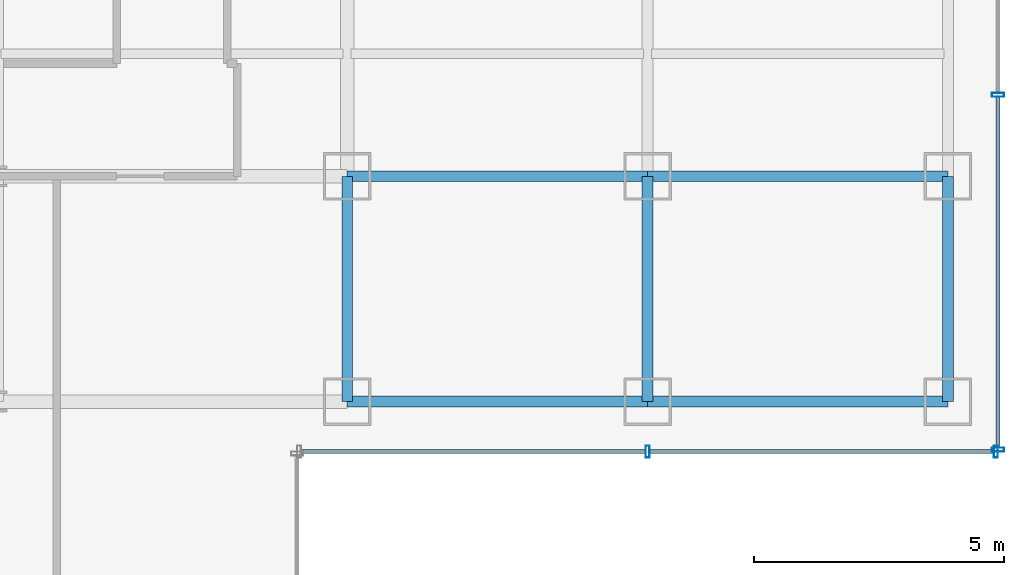
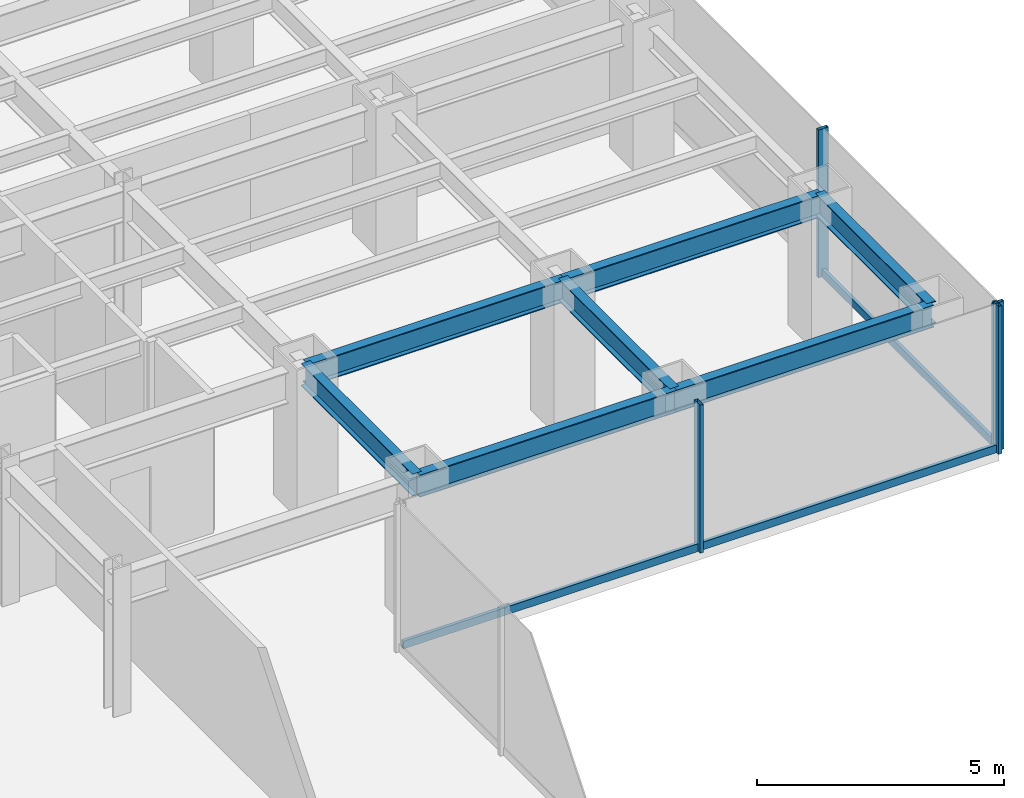
# One storey, part 7 of 22: 7 beams, 7 members, 2 elements without a shape of their own.
"""IFC4 building model written with IfcOpenShell, lengths in metres."""

from ifc_helpers import new_model, si_unit, derived_unit, direction, frame, origin, origin_2d, place, context, subcontext, project, spatial, hollow_rectangle, i_section, extrude, source, transform, mapped, material, material_profile, profile_set, type_object, element, aggregate, save


model = new_model("IFC4")

# Units and contexts
model_context = context("Model", 3, precision=1e-05, world=origin(), true_north=direction((0.0, 1.0)))
body_context = subcontext(model_context, "Body", "Model", "MODEL_VIEW")
ifc_project = project(units=[si_unit("LENGTHUNIT", "METRE"), si_unit("AREAUNIT", "SQUARE_METRE"), si_unit("VOLUMEUNIT", "CUBIC_METRE"), si_unit("PLANEANGLEUNIT", "RADIAN"), si_unit("MASSUNIT", "GRAM", prefix="KILO"), derived_unit("THERMALTRANSMITTANCEUNIT", [(si_unit("POWERUNIT", "WATT"), 1), (si_unit("LENGTHUNIT", "METRE"), -2), (si_unit("THERMODYNAMICTEMPERATUREUNIT", "KELVIN"), -1)])], contexts=[model_context])

# Site, building, storey
site_placement = place(None, origin())
site = spatial("IfcSite", under=ifc_project, at=site_placement, CompositionType="ELEMENT")
building_placement = place(site_placement, origin())
building = spatial("IfcBuilding", under=site, at=building_placement, Name="Skarnbrae Concourse Arena and Tower", CompositionType="ELEMENT")
storey_placement = place(building_placement, frame((0.0, 0.0, 39.800048828125)))
storey = spatial("IfcBuildingStorey", under=building, at=storey_placement, Name="L08", CompositionType="ELEMENT", Elevation=39.800048828125)

# Beams
ifc_material_1 = material(Name="Steel CSA G40.21 350W", Category="steel")
ifc_material_profile_1 = material_profile(ifc_material_1, i_section(OverallWidth=0.214111328125, OverallDepth=0.549072265625, WebThickness=0.0146484375, FlangeThickness=0.023681640625, at=origin_2d()), Name="W530X138")
ifc_profile_set_1 = profile_set([ifc_material_profile_1], Name="Steel CSA G40.21 350W")
beam_type = type_object("IfcBeamType", Name="BM-SPAN-W530X138", PredefinedType="SPANDREL", material=ifc_profile_set_1)
shared_shape_1 = source(origin(), body_context, "Body", "SweptSolid", [
    extrude(i_section(OverallWidth=0.214111328125, OverallDepth=0.549072265625, WebThickness=0.0146484375, FlangeThickness=0.023681640625, at=origin_2d()), origin(), (0.0, 0.0, 1.0), 6.0),
])
for number, where, z_axis, x_axis, name in (
    (1, (49.0, 9.5, 3.12548828125), (1.0, 0.0, 0.0), (0.0, 1.0, 0.0), "L08 Perimeter spandrel Y9.5-3"),
    (2, (55.0, 9.5, 3.12548828125), (1.0, 0.0, 0.0), (0.0, 1.0, 0.0), "L08 Perimeter spandrel Y9.5-4"),
    (3, (49.0, 14.0, 3.12548828125), (1.0, 0.0, 0.0), (0.0, 1.0, 0.0), "L08 Perimeter spandrel Y14.0-8"),
    (4, (55.0, 14.0, 3.12548828125), (1.0, 0.0, 0.0), (0.0, 1.0, 0.0), "L08 Perimeter spandrel Y14.0-9"),
):
    element("IfcBeam", number, at=place(storey_placement, frame(where, z_axis=z_axis, x_axis=x_axis)), inside=storey, type_object=beam_type, Name=name, PredefinedType="SPANDREL", context=body_context, shape_type="MappedRepresentation", body=[
        mapped(shared_shape_1, transform((0.0, 0.0, 0.0))),
    ])
shared_shape_2 = source(origin(), body_context, "Body", "SweptSolid", [
    extrude(i_section(OverallWidth=0.214111328125, OverallDepth=0.549072265625, WebThickness=0.0146484375, FlangeThickness=0.023681640625, at=origin_2d()), origin(), (0.0, 0.0, 1.0), 4.5),
])
for number, where, z_axis, x_axis, name in (
    (5, (49.0, 9.5, 3.12548828125), (0.0, 1.0, 0.0), (-1.0, 0.0, 0.0), "L08 Perimeter spandrel X49.0-1"),
    (6, (55.0, 9.5, 3.12548828125), (0.0, 1.0, 0.0), (-1.0, 0.0, 0.0), "L08 Perimeter spandrel X55.0-1"),
    (7, (61.0, 9.5, 3.12548828125), (0.0, 1.0, 0.0), (-1.0, 0.0, 0.0), "L08 Perimeter spandrel X61.0-1"),
):
    element("IfcBeam", number, at=place(storey_placement, frame(where, z_axis=z_axis, x_axis=x_axis)), inside=storey, type_object=beam_type, Name=name, PredefinedType="SPANDREL", context=body_context, shape_type="MappedRepresentation", body=[
        mapped(shared_shape_2, transform((0.0, 0.0, 0.0))),
    ])

# Curtain wall, members
ifc_material_2 = material(Name="Bronze anodised aluminium 6063-T6", Category="aluminium")
curtain_wall_type = type_object("IfcCurtainWallType", Name="CW-SYS-02-LOWZONE", PredefinedType="USERDEFINED", material=ifc_material_2)
curtain_wall_1_placement = place(storey_placement, origin())
curtain_wall_1 = element("IfcCurtainWall", 8, at=curtain_wall_1_placement, inside=storey, type_object=curtain_wall_type, Name="L08 Unitised curtain wall CW-L08-E03", ObjectType="UNITISED CURTAIN WALL", PredefinedType="USERDEFINED")
ifc_material_profile_2 = material_profile(ifc_material_2, hollow_rectangle(XDim=0.080078125, YDim=0.239990234375, WallThickness=0.0048828125, at=origin_2d()), Name="ALU-MULL-80X240")
ifc_profile_set_2 = profile_set([ifc_material_profile_2], Name="Bronze anodised aluminium 6063-T6")
member_type_1 = type_object("IfcMemberType", Name="CWM-CW-02", PredefinedType="MULLION", material=ifc_profile_set_2)
shared_shape_3 = source(origin(), body_context, "Body", "SweptSolid", [
    extrude(hollow_rectangle(XDim=0.080078125, YDim=0.239990234375, WallThickness=0.0048828125, at=origin_2d()), origin(), (0.0, 0.0, 1.0), 3.64990234375),
])
member_1_placement = place(storey_placement, frame((55.0, 8.5, 0.0), z_axis=(0.0, 0.0, 1.0), x_axis=(1.0, 0.0, 0.0)))
member_1 = element("IfcMember", 9, at=member_1_placement, type_object=member_type_1, Name="CW-L08-E03 Mullion 2", PredefinedType="MULLION", context=body_context, shape_type="MappedRepresentation", body=[
    mapped(shared_shape_3, transform((0.0, 0.0, 0.0))),
])
member_2_placement = place(storey_placement, frame((61.9599609375, 8.5, 0.0), z_axis=(0.0, 0.0, 1.0), x_axis=(1.0, 0.0, 0.0)))
member_2 = element("IfcMember", 10, at=member_2_placement, type_object=member_type_1, Name="CW-L08-E03 Mullion 3", PredefinedType="MULLION", context=body_context, shape_type="MappedRepresentation", body=[
    mapped(shared_shape_3, transform((0.0, 0.0, 0.0))),
])

curtain_wall_2_placement = place(storey_placement, origin())
curtain_wall_2 = element("IfcCurtainWall", 11, at=curtain_wall_2_placement, inside=storey, type_object=curtain_wall_type, Name="L08 Unitised curtain wall CW-L08-E04", ObjectType="UNITISED CURTAIN WALL", PredefinedType="USERDEFINED")
member_3_placement = place(storey_placement, frame((62.0, 8.5400390625, 0.0), z_axis=(0.0, 0.0, 1.0), x_axis=(0.0, 1.0, 0.0)))
member_3 = element("IfcMember", 12, at=member_3_placement, type_object=member_type_1, Name="CW-L08-E04 Mullion 1", PredefinedType="MULLION", context=body_context, shape_type="MappedRepresentation", body=[
    mapped(shared_shape_3, transform((0.0, 0.0, 0.0))),
])
member_4_placement = place(storey_placement, frame((62.0, 15.625, 0.0), z_axis=(0.0, 0.0, 1.0), x_axis=(0.0, 1.0, 0.0)))
member_4 = element("IfcMember", 13, at=member_4_placement, type_object=member_type_1, Name="CW-L08-E04 Mullion 2", PredefinedType="MULLION", context=body_context, shape_type="MappedRepresentation", body=[
    mapped(shared_shape_3, transform((0.0, 0.0, 0.0))),
])

# Member
ifc_material_profile_3 = material_profile(ifc_material_2, hollow_rectangle(XDim=0.080078125, YDim=0.18994140625, WallThickness=0.0048828125, at=origin_2d()), Name="ALU-TRAN-80X190")
ifc_profile_set_3 = profile_set([ifc_material_profile_3], Name="Bronze anodised aluminium 6063-T6")
member_type_2 = type_object("IfcMemberType", Name="CWT-CW-02", PredefinedType="USERDEFINED", material=ifc_profile_set_3)
shared_shape_4 = source(origin(), body_context, "Body", "SweptSolid", [
    extrude(hollow_rectangle(XDim=0.080078125, YDim=0.18994140625, WallThickness=0.0048828125, at=origin_2d()), origin(), (0.0, 0.0, 1.0), 6.8798828125),
])
member_5_placement = place(storey_placement, frame((48.080078125, 8.5, 0.094970703125), z_axis=(1.0, 0.0, 0.0), x_axis=(0.0, 1.0, 0.0)))
member_5 = element("IfcMember", 14, at=member_5_placement, type_object=member_type_2, Name="CW-L08-E03 Transom 1", ObjectType="TRANSOM", PredefinedType="USERDEFINED", context=body_context, shape_type="MappedRepresentation", body=[
    mapped(shared_shape_4, transform((0.0, 0.0, 0.0))),
])

member_6_placement = place(storey_placement, frame((55.0400390625, 8.5, 0.094970703125), z_axis=(1.0, 0.0, 0.0), x_axis=(0.0, 1.0, 0.0)))
member_6 = element("IfcMember", 15, at=member_6_placement, type_object=member_type_2, Name="CW-L08-E03 Transom 2", ObjectType="TRANSOM", PredefinedType="USERDEFINED", context=body_context, shape_type="MappedRepresentation", body=[
    mapped(shared_shape_4, transform((0.0, 0.0, 0.0))),
])

aggregate(curtain_wall_1, [member_1, member_2, member_5, member_6])

shared_shape_5 = source(origin(), body_context, "Body", "SweptSolid", [
    extrude(hollow_rectangle(XDim=0.080078125, YDim=0.18994140625, WallThickness=0.0048828125, at=origin_2d()), origin(), (0.0, 0.0, 1.0), 7.0048828125),
])
member_7_placement = place(storey_placement, frame((62.0, 8.580078125, 0.094970703125), z_axis=(0.0, 1.0, 0.0), x_axis=(-1.0, 0.0, 0.0)))
member_7 = element("IfcMember", 16, at=member_7_placement, type_object=member_type_2, Name="CW-L08-E04 Transom 1", ObjectType="TRANSOM", PredefinedType="USERDEFINED", context=body_context, shape_type="MappedRepresentation", body=[
    mapped(shared_shape_5, transform((0.0, 0.0, 0.0))),
])

aggregate(curtain_wall_2, [member_3, member_4, member_7])

save(model, "model.ifc")
